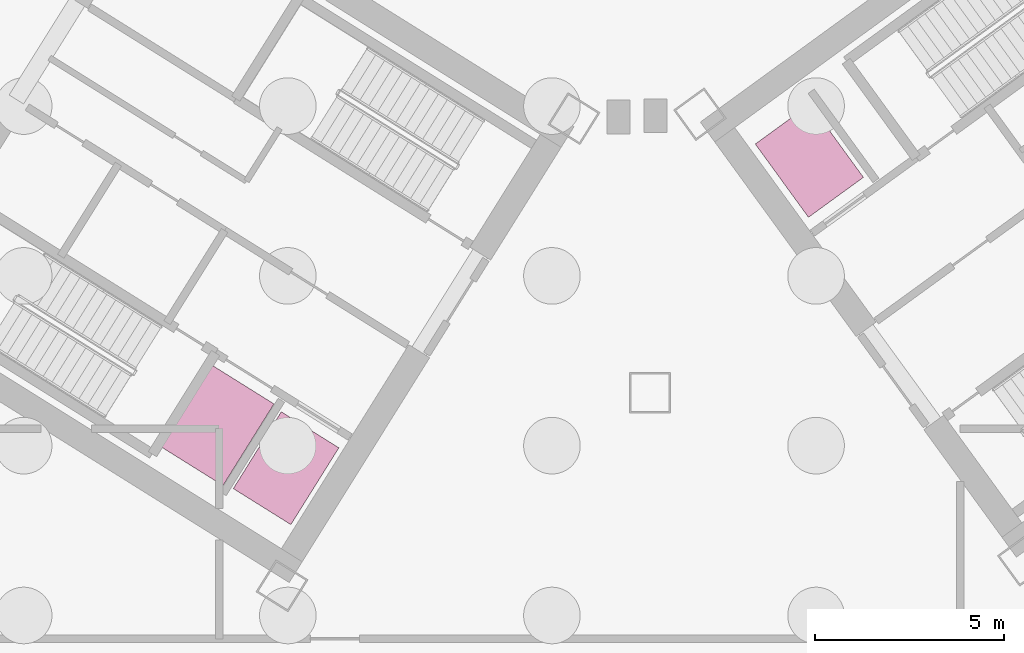
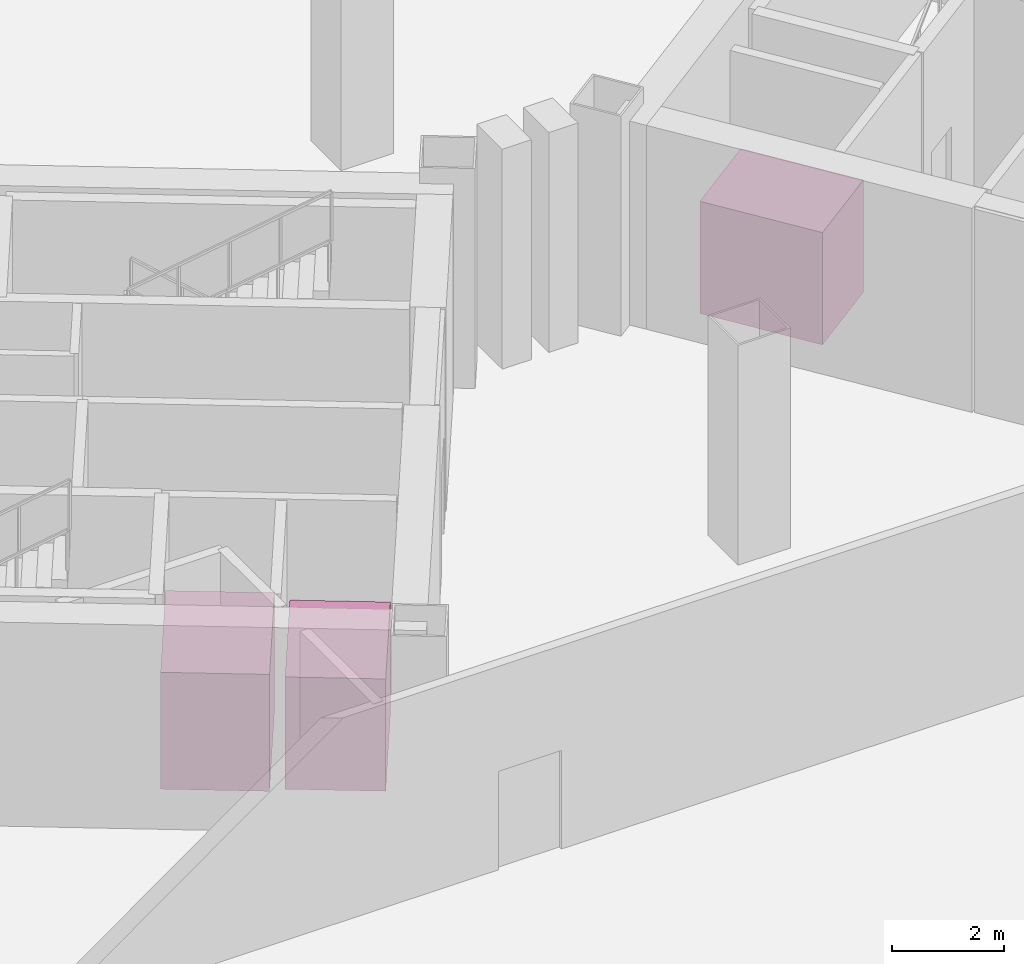
# One storey, part 11 of 11: 3 transport elements.
"""IFC4 building model written with IfcOpenShell, lengths in metres."""

from ifc_helpers import new_model, si_unit, direction, frame, origin, origin_2d, place, context, subcontext, project, spatial, rectangle, extrude, source, transform, mapped, material, type_object, element, save


model = new_model("IFC4")

# Units and contexts
model_context = context("Model", 3, precision=1e-05, world=origin(), true_north=direction((0.0, 1.0)))
body_context = subcontext(model_context, "Body", "Model", "MODEL_VIEW")
ifc_project = project(units=[si_unit("LENGTHUNIT", "METRE"), si_unit("AREAUNIT", "SQUARE_METRE"), si_unit("VOLUMEUNIT", "CUBIC_METRE"), si_unit("PLANEANGLEUNIT", "RADIAN"), si_unit("MASSUNIT", "GRAM", prefix="KILO")], contexts=[model_context])

# Site, building, storey
site_placement = place(None, origin())
site = spatial("IfcSite", under=ifc_project, at=site_placement, CompositionType="ELEMENT")
building_placement = place(site_placement, origin())
building = spatial("IfcBuilding", under=site, at=building_placement, Name="Tlacorven Tower", CompositionType="ELEMENT")
storey_placement = place(building_placement, frame((0.0, 0.0, -9.60009765625)))
storey = spatial("IfcBuildingStorey", under=building, at=storey_placement, Name="B2", CompositionType="ELEMENT", Elevation=-9.60009765625)

# Transport elements
ifc_material = material(Name="Brushed aluminium and steel lift cab", Category="steel")
transport_element_type_1 = type_object("IfcTransportElementType", Name="LFT-FFL-CAR", PredefinedType="ELEVATOR", material=ifc_material)
shared_shape_1 = source(origin(), body_context, "Body", "SweptSolid", [
    extrude(rectangle(XDim=1.800048828125, YDim=2.39990234375, at=origin_2d()), origin(), (0.0, 0.0, 1.0), 2.449951171875),
])
for number, where, z_axis, x_axis, name in (
    (1, (33.154052734375, 15.203369140625, 0.0), (0.0, 0.0, 1.0), (-0.848048096156, 0.529919264233, 0.0), "Firefighting Lift West 1"),
    (2, (47.021484375, 23.35302734375, 0.0), (0.0, 0.0, 1.0), (0.809016994375, 0.587785252292, 0.0), "Firefighting Lift East 1"),
):
    element("IfcTransportElement", number, at=place(storey_placement, frame(where, z_axis=z_axis, x_axis=x_axis)), inside=storey, type_object=transport_element_type_1, Name=name, PredefinedType="ELEVATOR", context=body_context, shape_type="MappedRepresentation", body=[
        mapped(shared_shape_1, transform((0.0, 0.0, 0.0), scale=1.0)),
    ])
transport_element_type_2 = type_object("IfcTransportElementType", Name="LFT-SVL-CAR", PredefinedType="ELEVATOR", material=ifc_material)
shared_shape_2 = source(origin(), body_context, "Body", "SweptSolid", [
    extrude(rectangle(XDim=1.949951171875, YDim=2.550048828125, at=origin_2d()), origin(), (0.0, 0.0, 1.0), 2.550048828125),
])
transport_element_placement = place(storey_placement, frame((31.33056640625, 16.342529296875, 0.0), z_axis=(0.0, 0.0, 1.0), x_axis=(-0.848048096156, 0.529919264233, 0.0)))
element("IfcTransportElement", 3, at=transport_element_placement, inside=storey, type_object=transport_element_type_2, Name="Service and Firefighting Lift West 2", PredefinedType="ELEVATOR", context=body_context, shape_type="MappedRepresentation", body=[
    mapped(shared_shape_2, transform((0.0, 0.0, 0.0), scale=1.0)),
])

save(model, "model.ifc")
